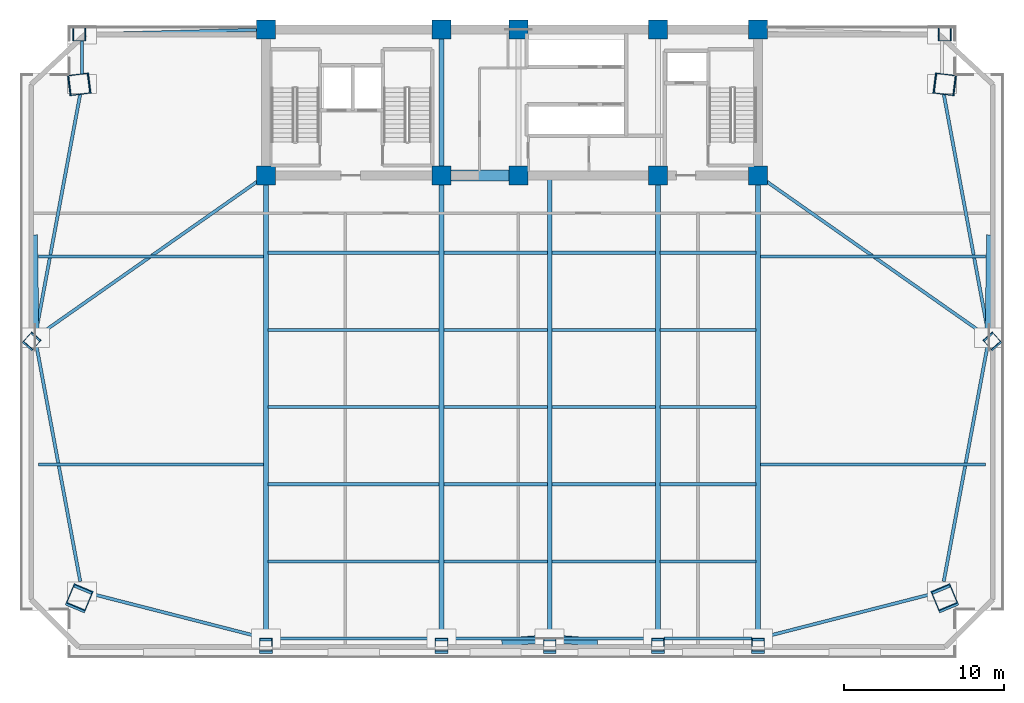
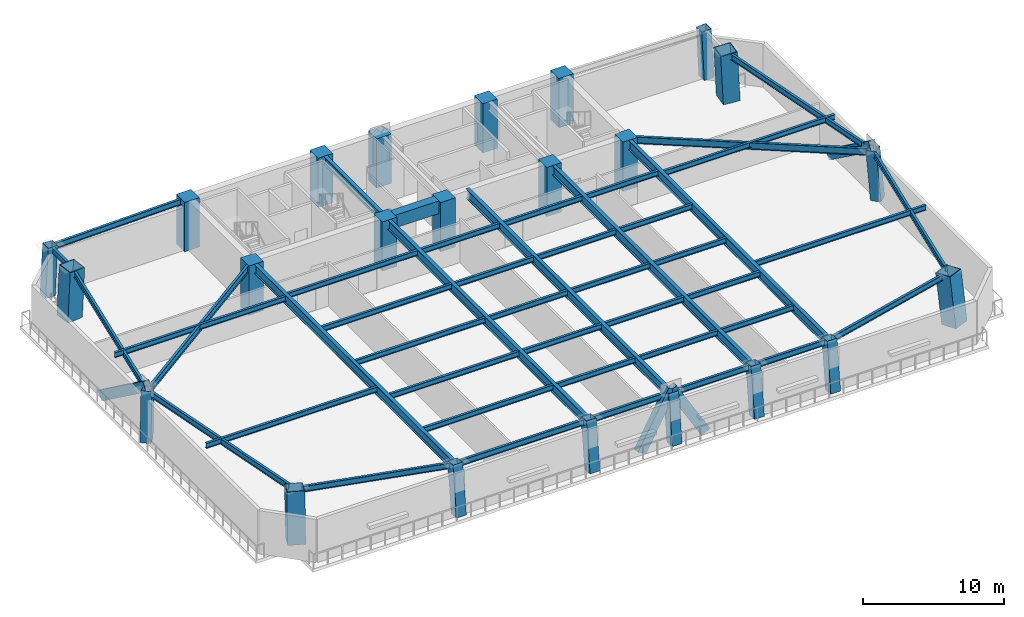
# One storey, part 1 of 9: 45 beams, 23 columns, 4 members.
"""IFC4 building model written with IfcOpenShell, lengths in metres."""

from ifc_helpers import new_model, si_unit, direction, frame, origin, origin_2d, place, context, subcontext, project, spatial, rectangle, hollow_rectangle, i_section, extrude, source, transform, mapped, material, material_profile, profile_set, type_object, element, save


model = new_model("IFC4")

# Units and contexts
model_context = context("Model", 3, precision=1e-05, world=origin(), true_north=direction((0.0, 1.0)))
body_context = subcontext(model_context, "Body", "Model", "MODEL_VIEW")
ifc_project = project(units=[si_unit("LENGTHUNIT", "METRE"), si_unit("AREAUNIT", "SQUARE_METRE"), si_unit("VOLUMEUNIT", "CUBIC_METRE"), si_unit("PLANEANGLEUNIT", "RADIAN"), si_unit("MASSUNIT", "GRAM", prefix="KILO")], contexts=[model_context])

# Site, building, storey
site_placement = place(None, origin())
site = spatial("IfcSite", under=ifc_project, at=site_placement, CompositionType="ELEMENT")
building_placement = place(site_placement, origin())
building = spatial("IfcBuilding", under=site, at=building_placement, Name="Giltprow Tower", CompositionType="ELEMENT")
storey_placement = place(building_placement, frame((0.0, 0.0, 144.699951171875)))
storey = spatial("IfcBuildingStorey", under=building, at=storey_placement, Name="L35", CompositionType="ELEMENT", Elevation=144.699951171875)

# Columns
ifc_material_1 = material(Name="Concrete C60", Category="concrete")
ifc_material_profile_1 = material_profile(ifc_material_1, rectangle(XDim=1.199951171875, YDim=1.199951171875, at=origin_2d()), Name="RC 1200x1200")
ifc_profile_set_1 = profile_set([ifc_material_profile_1], Name="Concrete C60")
column_type_1 = type_object("IfcColumnType", Name="PIL-RC-1200-C60", PredefinedType="PILASTER", material=ifc_profile_set_1)
shared_shape_1 = source(origin(), body_context, "Body", "SweptSolid", [
    extrude(rectangle(XDim=1.199951171875, YDim=1.199951171875, at=origin_2d()), origin(), (0.0, 0.0, 1.0), 4.27001953125),
])
for number, where, z_axis, x_axis, name in (
    (1, (19.85009765625, 37.449951171875, 0.0), (0.0, 0.0, 1.0), (1.0, 0.0, 0.0), "L35 Core Boundary Pilaster 1-1"),
    (2, (19.85009765625, 46.550048828125, 0.0), (0.0, 0.0, 1.0), (1.0, 0.0, 0.0), "L35 Core Boundary Pilaster 1-2"),
    (3, (30.800048828125, 37.449951171875, 0.0), (0.0, 0.0, 1.0), (1.0, 0.0, 0.0), "L35 Core Boundary Pilaster 2-1"),
    (4, (30.800048828125, 46.550048828125, 0.0), (0.0, 0.0, 1.0), (1.0, 0.0, 0.0), "L35 Core Boundary Pilaster 2-2"),
    (5, (35.60009765625, 37.449951171875, 0.0), (0.0, 0.0, 1.0), (1.0, 0.0, 0.0), "L35 Core Boundary Pilaster 3-1"),
    (6, (35.60009765625, 46.550048828125, 0.0), (0.0, 0.0, 1.0), (1.0, 0.0, 0.0), "L35 Core Boundary Pilaster 3-2"),
    (7, (44.300048828125, 37.449951171875, 0.0), (0.0, 0.0, 1.0), (1.0, 0.0, 0.0), "L35 Core Boundary Pilaster 4-1"),
    (8, (44.300048828125, 46.550048828125, 0.0), (0.0, 0.0, 1.0), (1.0, 0.0, 0.0), "L35 Core Boundary Pilaster 4-2"),
    (9, (50.550048828125, 37.449951171875, 0.0), (0.0, 0.0, 1.0), (1.0, 0.0, 0.0), "L35 Core Boundary Pilaster 5-1"),
    (10, (50.550048828125, 46.550048828125, 0.0), (0.0, 0.0, 1.0), (1.0, 0.0, 0.0), "L35 Core Boundary Pilaster 5-2"),
):
    element("IfcColumn", number, at=place(storey_placement, frame(where, z_axis=z_axis, x_axis=x_axis)), inside=storey, type_object=column_type_1, Name=name, PredefinedType="PILASTER", context=body_context, shape_type="MappedRepresentation", body=[
        mapped(shared_shape_1, transform((0.0, 0.0, 0.0), x_axis=(1.0, 0.0, 0.0), y_axis=(0.0, 1.0, 0.0), z_axis=(0.0, 0.0, 1.0), scale=1.0)),
    ])
ifc_material_2 = material(Name="Structural steel Q420GJC", Category="steel")
ifc_material_profile_2 = material_profile(ifc_material_2, hollow_rectangle(XDim=1.300048828125, YDim=1.300048828125, WallThickness=0.06005859375, at=origin_2d()), Name="BOX 1300x1300x60")
ifc_profile_set_2 = profile_set([ifc_material_profile_2], Name="Structural steel Q420GJC")
column_type_2 = type_object("IfcColumnType", Name="COL-BOX-1300x1300x60", PredefinedType="COLUMN", material=ifc_profile_set_2)
shared_shape_2 = source(origin(), body_context, "Body", "SweptSolid", [
    extrude(hollow_rectangle(XDim=1.300048828125, YDim=1.300048828125, WallThickness=0.06005859375, at=origin_2d()), origin(), (0.0, 0.0, 1.0), 4.304443359375),
])
for number, where, z_axis, x_axis, name in (
    (11, (8.178955078125, 11.010009765625, 0.0), (0.048551521193, 0.116387525104, 0.992016478588), (-0.922917163749, 0.384998582929, 0.0), "L35 Mega-Column MC_SW"),
    (12, (62.220947265625, 11.010009765625, 0.0), (-0.048551521193, 0.116387525104, 0.992016478588), (-0.922917163749, -0.384998582929, 0.0), "L35 Mega-Column MC_SE"),
):
    element("IfcColumn", number, at=place(storey_placement, frame(where, z_axis=z_axis, x_axis=x_axis)), inside=storey, type_object=column_type_2, Name=name, PredefinedType="COLUMN", context=body_context, shape_type="MappedRepresentation", body=[
        mapped(shared_shape_2, transform((0.0, 0.0, 0.0), x_axis=(1.0, 0.0, 0.0), y_axis=(0.0, 1.0, 0.0), z_axis=(0.0, 0.0, 1.0), scale=1.0)),
    ])
shared_shape_3 = source(origin(), body_context, "Body", "SweptSolid", [
    extrude(hollow_rectangle(XDim=1.300048828125, YDim=1.300048828125, WallThickness=0.06005859375, at=origin_2d()), origin(), (0.0, 0.0, 1.0), 4.275146484375),
])
for number, where, z_axis, x_axis, name in (
    (13, (8.178955078125, 43.134033203125, 0.0), (0.048882776574, 0.006281665214, 0.998784769025), (-0.127456607753, 0.991844147606, 0.0), "L35 Mega-Column MC_NW"),
    (14, (62.220947265625, 43.134033203125, 0.0), (-0.048882776574, 0.006281665214, 0.998784769025), (-0.127456607753, -0.991844147606, 0.0), "L35 Mega-Column MC_NE"),
):
    element("IfcColumn", number, at=place(storey_placement, frame(where, z_axis=z_axis, x_axis=x_axis)), inside=storey, type_object=column_type_2, Name=name, PredefinedType="COLUMN", context=body_context, shape_type="MappedRepresentation", body=[
        mapped(shared_shape_3, transform((0.0, 0.0, 0.0), x_axis=(1.0, 0.0, 0.0), y_axis=(0.0, 1.0, 0.0), z_axis=(0.0, 0.0, 1.0), scale=1.0)),
    ])
ifc_material_profile_3 = material_profile(ifc_material_2, hollow_rectangle(XDim=0.800048828125, YDim=0.800048828125, WallThickness=0.035888671875, at=origin_2d()), Name="BOX 800x800x36")
ifc_profile_set_3 = profile_set([ifc_material_profile_3], Name="Structural steel Q420GJC")
column_type_3 = type_object("IfcColumnType", Name="COL-BOX-800x800x36", PredefinedType="COLUMN", material=ifc_profile_set_3)
shared_shape_4 = source(origin(), body_context, "Body", "SweptSolid", [
    extrude(hollow_rectangle(XDim=0.800048828125, YDim=0.800048828125, WallThickness=0.035888671875, at=origin_2d()), origin(), (0.0, 0.0, 1.0), 4.302490234375),
])
for number, where, z_axis, x_axis, name in (
    (15, (19.85009765625, 8.044921875, 0.0), (0.0, 0.12251208123, 0.992467022098), (-1.0, 0.0, 0.0), "L35 Perimeter Column S1"),
    (16, (30.800048828125, 8.044921875, 0.0), (0.0, 0.12251208123, 0.992467022098), (-1.0, 0.0, 0.0), "L35 Perimeter Column S2"),
    (17, (37.550048828125, 8.044921875, 0.0), (0.0, 0.12251208123, 0.992467022098), (-1.0, 0.0, 0.0), "L35 Perimeter Column S_MID"),
    (18, (44.300048828125, 8.044921875, 0.0), (0.0, 0.12251208123, 0.992467022098), (-1.0, 0.0, 0.0), "L35 Perimeter Column S3"),
    (19, (50.550048828125, 8.044921875, 0.0), (0.0, 0.12251208123, 0.992467022098), (-1.0, 0.0, 0.0), "L35 Perimeter Column S4"),
):
    element("IfcColumn", number, at=place(storey_placement, frame(where, z_axis=z_axis, x_axis=x_axis)), inside=storey, type_object=column_type_3, Name=name, PredefinedType="COLUMN", context=body_context, shape_type="MappedRepresentation", body=[
        mapped(shared_shape_4, transform((0.0, 0.0, 0.0), x_axis=(1.0, 0.0, 0.0), y_axis=(0.0, 1.0, 0.0), z_axis=(0.0, 0.0, 1.0), scale=1.0)),
    ])
shared_shape_5 = source(origin(), body_context, "Body", "SweptSolid", [
    extrude(hollow_rectangle(XDim=0.800048828125, YDim=0.800048828125, WallThickness=0.035888671875, at=origin_2d()), origin(), (0.0, 0.0, 1.0), 4.28466796875),
])
for number, where, z_axis, x_axis, name in (
    (20, (5.214111328125, 27.072021484375, 0.0), (0.054815561854, 0.061596281044, 0.996594778403), (-0.747027925172, 0.664792658664, 0.0), "L35 Perimeter Column W_MID"),
    (21, (65.18603515625, 27.072021484375, 0.0), (-0.054872371208, 0.061596088553, 0.996591663999), (-0.746684793699, -0.66517803546, 0.0), "L35 Perimeter Column E_MID"),
):
    element("IfcColumn", number, at=place(storey_placement, frame(where, z_axis=z_axis, x_axis=x_axis)), inside=storey, type_object=column_type_3, Name=name, PredefinedType="COLUMN", context=body_context, shape_type="MappedRepresentation", body=[
        mapped(shared_shape_5, transform((0.0, 0.0, 0.0), x_axis=(1.0, 0.0, 0.0), y_axis=(0.0, 1.0, 0.0), z_axis=(0.0, 0.0, 1.0), scale=1.0)),
    ])
shared_shape_6 = source(origin(), body_context, "Body", "SweptSolid", [
    extrude(hollow_rectangle(XDim=0.800048828125, YDim=0.800048828125, WallThickness=0.035888671875, at=origin_2d()), origin(), (0.0, 0.0, 1.0), 4.275146484375),
])
for number, where, z_axis, x_axis, name in (
    (22, (8.178955078125, 46.25, 0.0), (0.048883741043, 0.0, 0.998804475291), (0.0, 1.0, 0.0), "L35 Perimeter Column N_W"),
    (23, (62.220947265625, 46.25, 0.0), (-0.048883741043, 0.0, 0.998804475291), (0.0, -1.0, 0.0), "L35 Perimeter Column N_E"),
):
    element("IfcColumn", number, at=place(storey_placement, frame(where, z_axis=z_axis, x_axis=x_axis)), inside=storey, type_object=column_type_3, Name=name, PredefinedType="COLUMN", context=body_context, shape_type="MappedRepresentation", body=[
        mapped(shared_shape_6, transform((0.0, 0.0, 0.0), x_axis=(1.0, 0.0, 0.0), y_axis=(0.0, 1.0, 0.0), z_axis=(0.0, 0.0, 1.0), scale=1.0)),
    ])

# Beams
ifc_material_profile_4 = material_profile(ifc_material_1, rectangle(XDim=0.699951171875, YDim=1.10009765625, at=origin_2d()), Name="RC 1100x700")
ifc_profile_set_4 = profile_set([ifc_material_profile_4], Name="Concrete C60")
beam_type_1 = type_object("IfcBeamType", Name="BM-CPL-RC1100", PredefinedType="LINTEL", material=ifc_profile_set_4)
shared_shape_7 = source(origin(), body_context, "Body", "SweptSolid", [
    extrude(rectangle(XDim=0.699951171875, YDim=1.10009765625, at=origin_2d()), origin(), (0.0, 0.0, 1.0), 3.6298828125),
])
beam_1_placement = place(storey_placement, frame((31.385009765625, 37.449951171875, 3.719970703125), z_axis=(1.0, 0.0, 0.0), x_axis=(0.0, 1.0, 0.0)))
element("IfcBeam", 24, at=beam_1_placement, inside=storey, type_object=beam_type_1, Name="L35 Core Coupling Beam CB-1", PredefinedType="LINTEL", context=body_context, shape_type="MappedRepresentation", body=[
    mapped(shared_shape_7, transform((0.0, 0.0, 0.0), x_axis=(1.0, 0.0, 0.0), y_axis=(0.0, 1.0, 0.0), z_axis=(0.0, 0.0, 1.0), scale=1.0)),
])
ifc_material_3 = material(Name="Structural steel Q355B", Category="steel")
ifc_material_profile_5 = material_profile(ifc_material_3, i_section(OverallWidth=0.300048828125, OverallDepth=0.699951171875, WebThickness=0.012939453125, FlangeThickness=0.02392578125, at=origin_2d()), Name="HN 700x300x13x24")
ifc_profile_set_5 = profile_set([ifc_material_profile_5], Name="Structural steel Q355B")
beam_type_2 = type_object("IfcBeamType", Name="BM-GIRD-HN700", PredefinedType="BEAM", material=ifc_profile_set_5)
shared_shape_8 = source(origin(), body_context, "Body", "SweptSolid", [
    extrude(i_section(OverallWidth=0.300048828125, OverallDepth=0.699951171875, WebThickness=0.012939453125, FlangeThickness=0.02392578125, at=origin_2d()), origin(), (0.0, 0.0, 1.0), 7.93017578125),
])
beam_2_placement = place(storey_placement, frame((30.800048828125, 38.034912109375, 3.920166015625), z_axis=(0.0, 1.0, 0.0), x_axis=(-1.0, 0.0, 0.0)))
element("IfcBeam", 25, at=beam_2_placement, inside=storey, type_object=beam_type_2, Name="L35 Core Tie Girder M1", PredefinedType="BEAM", context=body_context, shape_type="MappedRepresentation", body=[
    mapped(shared_shape_8, transform((0.0, 0.0, 0.0), x_axis=(1.0, 0.0, 0.0), y_axis=(0.0, 1.0, 0.0), z_axis=(0.0, 0.0, 1.0), scale=1.0)),
])
ifc_material_profile_6 = material_profile(ifc_material_3, i_section(OverallWidth=0.199951171875, OverallDepth=0.449951171875, WebThickness=0.009033203125, FlangeThickness=0.013916015625, at=origin_2d()), Name="HN 450x200x9x14")
ifc_profile_set_6 = profile_set([ifc_material_profile_6], Name="Structural steel Q355B")
beam_type_3 = type_object("IfcBeamType", Name="BM-JOIST-HN450", PredefinedType="JOIST", material=ifc_profile_set_6)
shared_shape_9 = source(origin(), body_context, "Body", "SweptSolid", [
    extrude(i_section(OverallWidth=0.199951171875, OverallDepth=0.449951171875, WebThickness=0.009033203125, FlangeThickness=0.013916015625, at=origin_2d()), origin(), (0.0, 0.0, 1.0), 10.659912109375),
])
for number, where, z_axis, x_axis, name in (
    (26, (19.9951171875, 13.385009765625, 4.045166015625), (1.0, 0.0, 0.0), (0.0, 1.0, 0.0), "L35 Composite Floor Joist 1-1"),
    (27, (19.9951171875, 18.197998046875, 4.045166015625), (1.0, 0.0, 0.0), (0.0, 1.0, 0.0), "L35 Composite Floor Joist 2-1"),
    (28, (19.9951171875, 23.010986328125, 4.045166015625), (1.0, 0.0, 0.0), (0.0, 1.0, 0.0), "L35 Composite Floor Joist 3-1"),
    (29, (19.9951171875, 27.823974609375, 4.045166015625), (1.0, 0.0, 0.0), (0.0, 1.0, 0.0), "L35 Composite Floor Joist 4-1"),
    (30, (19.9951171875, 32.636962890625, 4.045166015625), (1.0, 0.0, 0.0), (0.0, 1.0, 0.0), "L35 Composite Floor Joist 5-1"),
):
    element("IfcBeam", number, at=place(storey_placement, frame(where, z_axis=z_axis, x_axis=x_axis)), inside=storey, type_object=beam_type_3, Name=name, PredefinedType="JOIST", context=body_context, shape_type="MappedRepresentation", body=[
        mapped(shared_shape_9, transform((0.0, 0.0, 0.0), x_axis=(1.0, 0.0, 0.0), y_axis=(0.0, 1.0, 0.0), z_axis=(0.0, 0.0, 1.0), scale=1.0)),
    ])
shared_shape_10 = source(origin(), body_context, "Body", "SweptSolid", [
    extrude(i_section(OverallWidth=0.199951171875, OverallDepth=0.449951171875, WebThickness=0.009033203125, FlangeThickness=0.013916015625, at=origin_2d()), origin(), (0.0, 0.0, 1.0), 6.4599609375),
])
for number, where, z_axis, x_axis, name in (
    (31, (30.945068359375, 13.385009765625, 4.045166015625), (1.0, 0.0, 0.0), (0.0, 1.0, 0.0), "L35 Composite Floor Joist 1-2"),
    (32, (37.695068359375, 13.385009765625, 4.045166015625), (1.0, 0.0, 0.0), (0.0, 1.0, 0.0), "L35 Composite Floor Joist 1-3"),
    (33, (30.945068359375, 18.197998046875, 4.045166015625), (1.0, 0.0, 0.0), (0.0, 1.0, 0.0), "L35 Composite Floor Joist 2-2"),
    (34, (37.695068359375, 18.197998046875, 4.045166015625), (1.0, 0.0, 0.0), (0.0, 1.0, 0.0), "L35 Composite Floor Joist 2-3"),
    (35, (30.945068359375, 23.010986328125, 4.045166015625), (1.0, 0.0, 0.0), (0.0, 1.0, 0.0), "L35 Composite Floor Joist 3-2"),
    (36, (37.695068359375, 23.010986328125, 4.045166015625), (1.0, 0.0, 0.0), (0.0, 1.0, 0.0), "L35 Composite Floor Joist 3-3"),
    (37, (30.945068359375, 27.823974609375, 4.045166015625), (1.0, 0.0, 0.0), (0.0, 1.0, 0.0), "L35 Composite Floor Joist 4-2"),
    (38, (37.695068359375, 27.823974609375, 4.045166015625), (1.0, 0.0, 0.0), (0.0, 1.0, 0.0), "L35 Composite Floor Joist 4-3"),
    (39, (30.945068359375, 32.636962890625, 4.045166015625), (1.0, 0.0, 0.0), (0.0, 1.0, 0.0), "L35 Composite Floor Joist 5-2"),
    (40, (37.695068359375, 32.636962890625, 4.045166015625), (1.0, 0.0, 0.0), (0.0, 1.0, 0.0), "L35 Composite Floor Joist 5-3"),
):
    element("IfcBeam", number, at=place(storey_placement, frame(where, z_axis=z_axis, x_axis=x_axis)), inside=storey, type_object=beam_type_3, Name=name, PredefinedType="JOIST", context=body_context, shape_type="MappedRepresentation", body=[
        mapped(shared_shape_10, transform((0.0, 0.0, 0.0), x_axis=(1.0, 0.0, 0.0), y_axis=(0.0, 1.0, 0.0), z_axis=(0.0, 0.0, 1.0), scale=1.0)),
    ])
shared_shape_11 = source(origin(), body_context, "Body", "SweptSolid", [
    extrude(i_section(OverallWidth=0.199951171875, OverallDepth=0.449951171875, WebThickness=0.009033203125, FlangeThickness=0.013916015625, at=origin_2d()), origin(), (0.0, 0.0, 1.0), 5.9599609375),
])
for number, where, z_axis, x_axis, name in (
    (41, (44.445068359375, 13.385009765625, 4.045166015625), (1.0, 0.0, 0.0), (0.0, 1.0, 0.0), "L35 Composite Floor Joist 1-4"),
    (42, (44.445068359375, 18.197998046875, 4.045166015625), (1.0, 0.0, 0.0), (0.0, 1.0, 0.0), "L35 Composite Floor Joist 2-4"),
    (43, (44.445068359375, 23.010986328125, 4.045166015625), (1.0, 0.0, 0.0), (0.0, 1.0, 0.0), "L35 Composite Floor Joist 3-4"),
    (44, (44.445068359375, 27.823974609375, 4.045166015625), (1.0, 0.0, 0.0), (0.0, 1.0, 0.0), "L35 Composite Floor Joist 4-4"),
    (45, (44.445068359375, 32.636962890625, 4.045166015625), (1.0, 0.0, 0.0), (0.0, 1.0, 0.0), "L35 Composite Floor Joist 5-4"),
):
    element("IfcBeam", number, at=place(storey_placement, frame(where, z_axis=z_axis, x_axis=x_axis)), inside=storey, type_object=beam_type_3, Name=name, PredefinedType="JOIST", context=body_context, shape_type="MappedRepresentation", body=[
        mapped(shared_shape_11, transform((0.0, 0.0, 0.0), x_axis=(1.0, 0.0, 0.0), y_axis=(0.0, 1.0, 0.0), z_axis=(0.0, 0.0, 1.0), scale=1.0)),
    ])
ifc_material_profile_7 = material_profile(ifc_material_3, i_section(OverallWidth=0.199951171875, OverallDepth=0.5, WebThickness=0.010009765625, FlangeThickness=0.01611328125, at=origin_2d()), Name="HN 500x200x10x16")
ifc_profile_set_7 = profile_set([ifc_material_profile_7], Name="Structural steel Q355B")
beam_type_4 = type_object("IfcBeamType", Name="BM-SPAN-HN500", PredefinedType="SPANDREL", material=ifc_profile_set_7)
shared_shape_12 = source(origin(), body_context, "Body", "SweptSolid", [
    extrude(i_section(OverallWidth=0.199951171875, OverallDepth=0.5, WebThickness=0.010009765625, FlangeThickness=0.01611328125, at=origin_2d()), origin(), (0.0, 0.0, 1.0), 10.179931640625),
])
beam_3_placement = place(storey_placement, frame((20.235107421875, 8.572021484375, 4.02001953125), z_axis=(1.0, 0.0, 0.0), x_axis=(0.0, 1.0, 0.0)))
element("IfcBeam", 46, at=beam_3_placement, inside=storey, type_object=beam_type_4, Name="L35 Perimeter Spandrel Beam S1-S2", PredefinedType="SPANDREL", context=body_context, shape_type="MappedRepresentation", body=[
    mapped(shared_shape_12, transform((0.0, 0.0, 0.0), x_axis=(1.0, 0.0, 0.0), y_axis=(0.0, 1.0, 0.0), z_axis=(0.0, 0.0, 1.0), scale=1.0)),
])
shared_shape_13 = source(origin(), body_context, "Body", "SweptSolid", [
    extrude(i_section(OverallWidth=0.199951171875, OverallDepth=0.5, WebThickness=0.010009765625, FlangeThickness=0.01611328125, at=origin_2d()), origin(), (0.0, 0.0, 1.0), 5.97998046875),
])
for number, where, z_axis, x_axis, name in (
    (47, (31.18505859375, 8.572021484375, 4.02001953125), (1.0, 0.0, 0.0), (0.0, 1.0, 0.0), "L35 Perimeter Spandrel Beam S2-S_MID"),
    (48, (37.93505859375, 8.572021484375, 4.02001953125), (1.0, 0.0, 0.0), (0.0, 1.0, 0.0), "L35 Perimeter Spandrel Beam S_MID-S3"),
):
    element("IfcBeam", number, at=place(storey_placement, frame(where, z_axis=z_axis, x_axis=x_axis)), inside=storey, type_object=beam_type_4, Name=name, PredefinedType="SPANDREL", context=body_context, shape_type="MappedRepresentation", body=[
        mapped(shared_shape_13, transform((0.0, 0.0, 0.0), x_axis=(1.0, 0.0, 0.0), y_axis=(0.0, 1.0, 0.0), z_axis=(0.0, 0.0, 1.0), scale=1.0)),
    ])
shared_shape_14 = source(origin(), body_context, "Body", "SweptSolid", [
    extrude(i_section(OverallWidth=0.199951171875, OverallDepth=0.5, WebThickness=0.010009765625, FlangeThickness=0.01611328125, at=origin_2d()), origin(), (0.0, 0.0, 1.0), 5.47998046875),
])
beam_4_placement = place(storey_placement, frame((44.68505859375, 8.572021484375, 4.02001953125), z_axis=(1.0, 0.0, 0.0), x_axis=(0.0, 1.0, 0.0)))
element("IfcBeam", 49, at=beam_4_placement, inside=storey, type_object=beam_type_4, Name="L35 Perimeter Spandrel Beam S3-S4", PredefinedType="SPANDREL", context=body_context, shape_type="MappedRepresentation", body=[
    mapped(shared_shape_14, transform((0.0, 0.0, 0.0), x_axis=(1.0, 0.0, 0.0), y_axis=(0.0, 1.0, 0.0), z_axis=(0.0, 0.0, 1.0), scale=1.0)),
])
shared_shape_15 = source(origin(), body_context, "Body", "SweptSolid", [
    extrude(i_section(OverallWidth=0.199951171875, OverallDepth=0.5, WebThickness=0.010009765625, FlangeThickness=0.01611328125, at=origin_2d()), origin(), (0.0, 0.0, 1.0), 10.812744140625),
])
beam_5_placement = place(storey_placement, frame((9.0029296875, 11.35302734375, 4.02001953125), z_axis=(0.968677514961, -0.248322113411, 0.0), x_axis=(0.248322113411, 0.968677514961, 0.0)))
element("IfcBeam", 50, at=beam_5_placement, inside=storey, type_object=beam_type_4, Name="L35 Perimeter Spandrel Beam MC_SW-S1", PredefinedType="SPANDREL", context=body_context, shape_type="MappedRepresentation", body=[
    mapped(shared_shape_15, transform((0.0, 0.0, 0.0), x_axis=(1.0, 0.0, 0.0), y_axis=(0.0, 1.0, 0.0), z_axis=(0.0, 0.0, 1.0), scale=1.0)),
])
shared_shape_16 = source(origin(), body_context, "Body", "SweptSolid", [
    extrude(i_section(OverallWidth=0.199951171875, OverallDepth=0.5, WebThickness=0.010009765625, FlangeThickness=0.01611328125, at=origin_2d()), origin(), (0.0, 0.0, 1.0), 10.8125),
])
beam_6_placement = place(storey_placement, frame((50.923095703125, 8.66796875, 4.02001953125), z_axis=(0.968676122617, 0.248327544732, 0.0), x_axis=(-0.248327544732, 0.968676122617, 0.0)))
element("IfcBeam", 51, at=beam_6_placement, inside=storey, type_object=beam_type_4, Name="L35 Perimeter Spandrel Beam S4-MC_SE", PredefinedType="SPANDREL", context=body_context, shape_type="MappedRepresentation", body=[
    mapped(shared_shape_16, transform((0.0, 0.0, 0.0), x_axis=(1.0, 0.0, 0.0), y_axis=(0.0, 1.0, 0.0), z_axis=(0.0, 0.0, 1.0), scale=1.0)),
])
shared_shape_17 = source(origin(), body_context, "Body", "SweptSolid", [
    extrude(i_section(OverallWidth=0.199951171875, OverallDepth=0.5, WebThickness=0.010009765625, FlangeThickness=0.01611328125, at=origin_2d()), origin(), (0.0, 0.0, 1.0), 15.075439453125),
])
for number, where, z_axis, x_axis, name in (
    (52, (62.1279296875, 12.135009765625, 4.02001953125), (0.182625068297, 0.983182630252, 0.0), (-0.983182630252, 0.182625068297, 0.0), "L35 Perimeter Spandrel Beam MC_SE-E_MID"),
    (53, (64.881103515625, 27.715087890625, 4.02001953125), (-0.182625068297, 0.983182630252, 0.0), (-0.983182630252, -0.182625068297, 0.0), "L35 Perimeter Spandrel Beam E_MID-MC_NE"),
    (54, (8.27197265625, 42.537109375, 4.02001953125), (-0.182609413871, -0.983185537915, 0.0), (0.983185537915, -0.182609413871, 0.0), "L35 Perimeter Spandrel Beam MC_NW-W_MID"),
    (55, (5.51904296875, 26.95703125, 4.02001953125), (0.182609413871, -0.983185537915, 0.0), (0.983185537915, 0.182609413871, 0.0), "L35 Perimeter Spandrel Beam W_MID-MC_SW"),
):
    element("IfcBeam", number, at=place(storey_placement, frame(where, z_axis=z_axis, x_axis=x_axis)), inside=storey, type_object=beam_type_4, Name=name, PredefinedType="SPANDREL", context=body_context, shape_type="MappedRepresentation", body=[
        mapped(shared_shape_17, transform((0.0, 0.0, 0.0), x_axis=(1.0, 0.0, 0.0), y_axis=(0.0, 1.0, 0.0), z_axis=(0.0, 0.0, 1.0), scale=1.0)),
    ])
shared_shape_18 = source(origin(), body_context, "Body", "SweptSolid", [
    extrude(i_section(OverallWidth=0.199951171875, OverallDepth=0.5, WebThickness=0.010009765625, FlangeThickness=0.01611328125, at=origin_2d()), origin(), (0.0, 0.0, 1.0), 2.069091796875),
])
beam_7_placement = place(storey_placement, frame((8.387939453125, 45.864990234375, 4.02001953125), z_axis=(0.0, -1.0, 0.0), x_axis=(1.0, 0.0, 0.0)))
element("IfcBeam", 56, at=beam_7_placement, inside=storey, type_object=beam_type_4, Name="L35 Perimeter Spandrel Beam N_W-MC_NW", PredefinedType="SPANDREL", context=body_context, shape_type="MappedRepresentation", body=[
    mapped(shared_shape_18, transform((0.0, 0.0, 0.0), x_axis=(1.0, 0.0, 0.0), y_axis=(0.0, 1.0, 0.0), z_axis=(0.0, 0.0, 1.0), scale=1.0)),
])
shared_shape_19 = source(origin(), body_context, "Body", "SweptSolid", [
    extrude(i_section(OverallWidth=0.199951171875, OverallDepth=0.5, WebThickness=0.010009765625, FlangeThickness=0.01611328125, at=origin_2d()), origin(), (0.0, 0.0, 1.0), 10.49560546875),
])
beam_8_placement = place(storey_placement, frame((8.77294921875, 46.260009765625, 4.02001953125), z_axis=(0.999656923101, 0.02619229076, 0.0), x_axis=(-0.02619229076, 0.999656923101, 0.0)))
element("IfcBeam", 57, at=beam_8_placement, inside=storey, type_object=beam_type_4, Name="L35 North Wing Spandrel W", PredefinedType="SPANDREL", context=body_context, shape_type="MappedRepresentation", body=[
    mapped(shared_shape_19, transform((0.0, 0.0, 0.0), x_axis=(1.0, 0.0, 0.0), y_axis=(0.0, 1.0, 0.0), z_axis=(0.0, 0.0, 1.0), scale=1.0)),
])
ifc_material_profile_8 = material_profile(ifc_material_3, i_section(OverallWidth=0.300048828125, OverallDepth=0.800048828125, WebThickness=0.013916015625, FlangeThickness=0.02587890625, at=origin_2d()), Name="HN 800x300x14x26")
ifc_profile_set_8 = profile_set([ifc_material_profile_8], Name="Structural steel Q355B")
beam_type_5 = type_object("IfcBeamType", Name="BM-GIRD-HN800", PredefinedType="BEAM", material=ifc_profile_set_8)
shared_shape_20 = source(origin(), body_context, "Body", "SweptSolid", [
    extrude(i_section(OverallWidth=0.300048828125, OverallDepth=0.800048828125, WebThickness=0.013916015625, FlangeThickness=0.02587890625, at=origin_2d()), origin(), (0.0, 0.0, 1.0), 27.907958984375),
])
for number, where, z_axis, x_axis, name in (
    (58, (19.85009765625, 8.95703125, 3.8701171875), (0.0, 1.0, 0.0), (-1.0, 0.0, 0.0), "L35 Primary Lease Girder S1"),
    (59, (30.800048828125, 8.95703125, 3.8701171875), (0.0, 1.0, 0.0), (-1.0, 0.0, 0.0), "L35 Primary Lease Girder S2"),
    (60, (44.300048828125, 8.95703125, 3.8701171875), (0.0, 1.0, 0.0), (-1.0, 0.0, 0.0), "L35 Primary Lease Girder S3"),
    (61, (50.550048828125, 8.95703125, 3.8701171875), (0.0, 1.0, 0.0), (-1.0, 0.0, 0.0), "L35 Primary Lease Girder S4"),
):
    element("IfcBeam", number, at=place(storey_placement, frame(where, z_axis=z_axis, x_axis=x_axis)), inside=storey, type_object=beam_type_5, Name=name, PredefinedType="BEAM", context=body_context, shape_type="MappedRepresentation", body=[
        mapped(shared_shape_20, transform((0.0, 0.0, 0.0), x_axis=(1.0, 0.0, 0.0), y_axis=(0.0, 1.0, 0.0), z_axis=(0.0, 0.0, 1.0), scale=1.0)),
    ])
shared_shape_21 = source(origin(), body_context, "Body", "SweptSolid", [
    extrude(i_section(OverallWidth=0.300048828125, OverallDepth=0.800048828125, WebThickness=0.013916015625, FlangeThickness=0.02587890625, at=origin_2d()), origin(), (0.0, 0.0, 1.0), 28.8779296875),
])
beam_9_placement = place(storey_placement, frame((37.550048828125, 8.572021484375, 3.8701171875), z_axis=(0.0, 1.0, 0.0), x_axis=(-1.0, 0.0, 0.0)))
element("IfcBeam", 62, at=beam_9_placement, inside=storey, type_object=beam_type_5, Name="L35 Central Lease Girder SMID", PredefinedType="BEAM", context=body_context, shape_type="MappedRepresentation", body=[
    mapped(shared_shape_21, transform((0.0, 0.0, 0.0), x_axis=(1.0, 0.0, 0.0), y_axis=(0.0, 1.0, 0.0), z_axis=(0.0, 0.0, 1.0), scale=1.0)),
])
ifc_material_profile_9 = material_profile(ifc_material_3, i_section(OverallWidth=0.199951171875, OverallDepth=0.60009765625, WebThickness=0.010986328125, FlangeThickness=0.01708984375, at=origin_2d()), Name="HN 600x200x11x17")
ifc_profile_set_9 = profile_set([ifc_material_profile_9], Name="Structural steel Q355B")
beam_type_6 = type_object("IfcBeamType", Name="BM-GIRD-HN600", PredefinedType="BEAM", material=ifc_profile_set_9)
shared_shape_22 = source(origin(), body_context, "Body", "SweptSolid", [
    extrude(i_section(OverallWidth=0.199951171875, OverallDepth=0.60009765625, WebThickness=0.010986328125, FlangeThickness=0.01708984375, at=origin_2d()), origin(), (0.0, 0.0, 1.0), 16.628173828125),
])
beam_10_placement = place(storey_placement, frame((5.763916015625, 27.556884765625, 3.969970703125), z_axis=(0.818323838427, 0.574757423146, 0.0), x_axis=(-0.574757423146, 0.818323838427, 0.0)))
element("IfcBeam", 63, at=beam_10_placement, inside=storey, type_object=beam_type_6, Name="L35 West Wing Primary Girder", PredefinedType="BEAM", context=body_context, shape_type="MappedRepresentation", body=[
    mapped(shared_shape_22, transform((0.0, 0.0, 0.0), x_axis=(1.0, 0.0, 0.0), y_axis=(0.0, 1.0, 0.0), z_axis=(0.0, 0.0, 1.0), scale=1.0)),
])
shared_shape_23 = source(origin(), body_context, "Body", "SweptSolid", [
    extrude(i_section(OverallWidth=0.199951171875, OverallDepth=0.60009765625, WebThickness=0.010986328125, FlangeThickness=0.01708984375, at=origin_2d()), origin(), (0.0, 0.0, 1.0), 16.6279296875),
])
beam_11_placement = place(storey_placement, frame((64.635986328125, 27.556884765625, 3.969970703125), z_axis=(-0.818318988065, 0.574764328898, 0.0), x_axis=(-0.574764328898, -0.818318988065, 0.0)))
element("IfcBeam", 64, at=beam_11_placement, inside=storey, type_object=beam_type_6, Name="L35 East Wing Primary Girder", PredefinedType="BEAM", context=body_context, shape_type="MappedRepresentation", body=[
    mapped(shared_shape_23, transform((0.0, 0.0, 0.0), x_axis=(1.0, 0.0, 0.0), y_axis=(0.0, 1.0, 0.0), z_axis=(0.0, 0.0, 1.0), scale=1.0)),
])
shared_shape_24 = source(origin(), body_context, "Body", "SweptSolid", [
    extrude(i_section(OverallWidth=0.199951171875, OverallDepth=0.449951171875, WebThickness=0.009033203125, FlangeThickness=0.013916015625, at=origin_2d()), origin(), (0.0, 0.0, 1.0), 14.0361328125),
])
for number, where, z_axis, x_axis, name in (
    (65, (5.6689453125, 19.423095703125, 4.045166015625), (1.0, 0.0, 0.0), (0.0, 1.0, 0.0), "L35 West Wing Floor Joist 1"),
    (66, (5.6689453125, 32.39306640625, 4.045166015625), (1.0, 0.0, 0.0), (0.0, 1.0, 0.0), "L35 West Wing Floor Joist 2"),
):
    element("IfcBeam", number, at=place(storey_placement, frame(where, z_axis=z_axis, x_axis=x_axis)), inside=storey, type_object=beam_type_3, Name=name, PredefinedType="JOIST", context=body_context, shape_type="MappedRepresentation", body=[
        mapped(shared_shape_24, transform((0.0, 0.0, 0.0), x_axis=(1.0, 0.0, 0.0), y_axis=(0.0, 1.0, 0.0), z_axis=(0.0, 0.0, 1.0), scale=1.0)),
    ])
shared_shape_25 = source(origin(), body_context, "Body", "SweptSolid", [
    extrude(i_section(OverallWidth=0.199951171875, OverallDepth=0.449951171875, WebThickness=0.009033203125, FlangeThickness=0.013916015625, at=origin_2d()), origin(), (0.0, 0.0, 1.0), 14.035888671875),
])
for number, where, z_axis, x_axis, name in (
    (67, (50.695068359375, 19.423095703125, 4.045166015625), (1.0, 0.0, 0.0), (0.0, 1.0, 0.0), "L35 East Wing Floor Joist 1"),
    (68, (50.695068359375, 32.39306640625, 4.045166015625), (1.0, 0.0, 0.0), (0.0, 1.0, 0.0), "L35 East Wing Floor Joist 2"),
):
    element("IfcBeam", number, at=place(storey_placement, frame(where, z_axis=z_axis, x_axis=x_axis)), inside=storey, type_object=beam_type_3, Name=name, PredefinedType="JOIST", context=body_context, shape_type="MappedRepresentation", body=[
        mapped(shared_shape_25, transform((0.0, 0.0, 0.0), x_axis=(1.0, 0.0, 0.0), y_axis=(0.0, 1.0, 0.0), z_axis=(0.0, 0.0, 1.0), scale=1.0)),
    ])

# Members
ifc_material_profile_10 = material_profile(ifc_material_2, hollow_rectangle(XDim=0.5, YDim=0.800048828125, WallThickness=0.035888671875, at=origin_2d()), Name="RHS 800x500x36")
ifc_profile_set_10 = profile_set([ifc_material_profile_10], Name="Structural steel Q420GJC")
member_type = type_object("IfcMemberType", Name="MBR-MEGA-RHS800", PredefinedType="BRACE", material=ifc_profile_set_10)
shared_shape_26 = source(origin(), body_context, "Body", "SweptSolid", [
    extrude(hollow_rectangle(XDim=0.5, YDim=0.800048828125, WallThickness=0.035888671875, at=origin_2d()), origin(), (0.0, 0.0, 1.0), 5.221923828125),
])
member_1_placement = place(storey_placement, frame((34.908935546875, 8.365966796875, 0.0), z_axis=(0.505779102006, 0.039459933638, 0.861760067311), x_axis=(-0.077781755048, 0.996970410083, 0.0)))
element("IfcMember", 69, at=member_1_placement, inside=storey, type_object=member_type, Name="L35 Chevron Mega-Brace S-L", PredefinedType="BRACE", context=body_context, shape_type="MappedRepresentation", body=[
    mapped(shared_shape_26, transform((0.0, 0.0, 0.0), x_axis=(1.0, 0.0, 0.0), y_axis=(0.0, 1.0, 0.0), z_axis=(0.0, 0.0, 1.0), scale=1.0)),
])
shared_shape_27 = source(origin(), body_context, "Body", "SweptSolid", [
    extrude(hollow_rectangle(XDim=0.5, YDim=0.800048828125, WallThickness=0.035888671875, at=origin_2d()), origin(), (0.0, 0.0, 1.0), 5.2216796875),
])
member_2_placement = place(storey_placement, frame((40.19091796875, 8.365966796875, 0.0), z_axis=(-0.505744307419, 0.039460866734, 0.861780445073), x_axis=(-0.077788902234, -0.996969852448, 0.0)))
element("IfcMember", 70, at=member_2_placement, inside=storey, type_object=member_type, Name="L35 Chevron Mega-Brace S-R", PredefinedType="BRACE", context=body_context, shape_type="MappedRepresentation", body=[
    mapped(shared_shape_27, transform((0.0, 0.0, 0.0), x_axis=(1.0, 0.0, 0.0), y_axis=(0.0, 1.0, 0.0), z_axis=(0.0, 0.0, 1.0), scale=1.0)),
])
shared_shape_28 = source(origin(), body_context, "Body", "SweptSolid", [
    extrude(hollow_rectangle(XDim=0.5, YDim=0.800048828125, WallThickness=0.035888671875, at=origin_2d()), origin(), (0.0, 0.0, 1.0), 7.64697265625),
])
for number, where, z_axis, x_axis, name in (
    (71, (5.35693359375, 33.51806640625, 0.0), (0.012036165671, -0.808434448624, 0.588463144975), (0.999889188584, 0.014886589689, 0.0), "L35 Chevron Mega-Brace W-R"),
    (72, (65.04296875, 33.51806640625, 0.0), (-0.012036165671, -0.808434448624, 0.588463144975), (0.999889188584, -0.014886589689, 0.0), "L35 Chevron Mega-Brace E-R"),
):
    element("IfcMember", number, at=place(storey_placement, frame(where, z_axis=z_axis, x_axis=x_axis)), inside=storey, type_object=member_type, Name=name, PredefinedType="BRACE", context=body_context, shape_type="MappedRepresentation", body=[
        mapped(shared_shape_28, transform((0.0, 0.0, 0.0), x_axis=(1.0, 0.0, 0.0), y_axis=(0.0, 1.0, 0.0), z_axis=(0.0, 0.0, 1.0), scale=1.0)),
    ])

save(model, "model.ifc")
